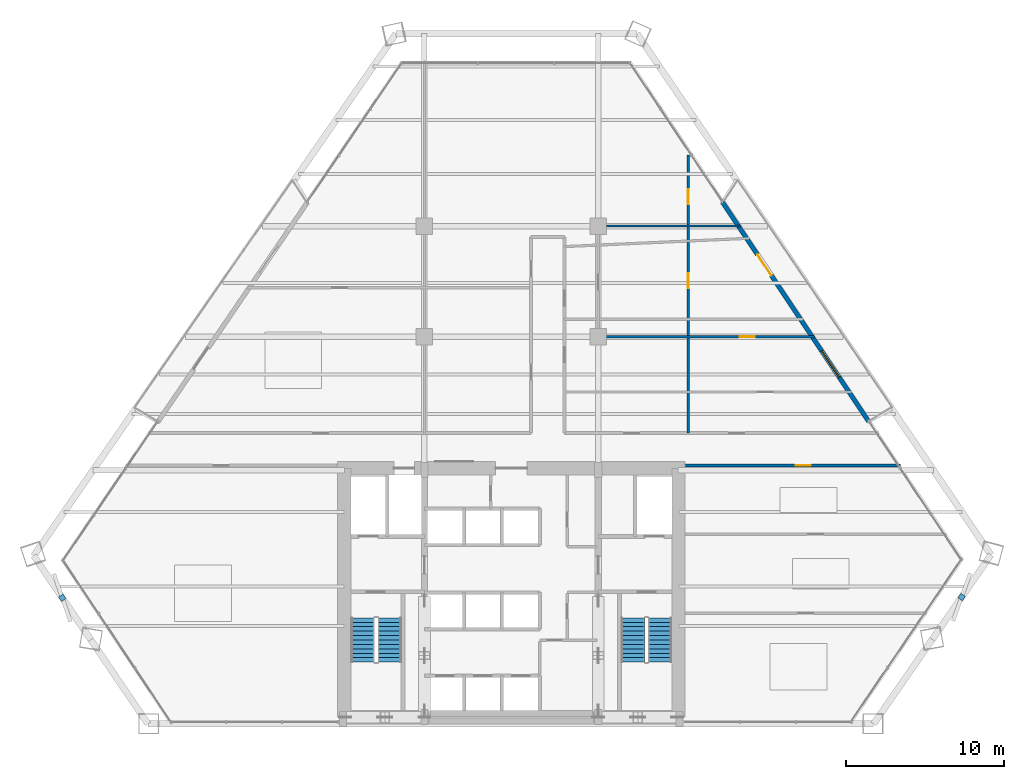
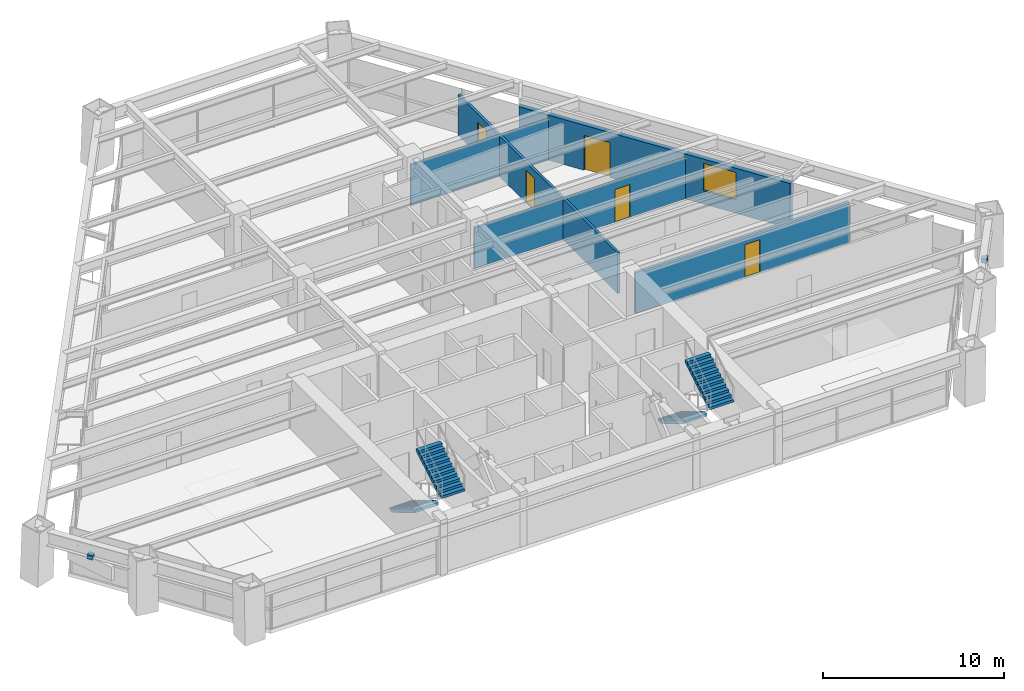
# One storey, part 12 of 14: 5 doors, 5 walls, 4 stair flights, 2 discrete accessories, 1 window, 6 openings, 2 elements without a shape of their own.
"""IFC4 building model written with IfcOpenShell, lengths in metres."""

from ifc_helpers import new_model, si_unit, direction, frame, frame_2d, origin, origin_2d, place, context, subcontext, project, spatial, polyline, rectangle, outline, extrude, source, transform, mapped, material, layer, layer_set, type_object, type_shapes, element, fill, aggregate, save


model = new_model("IFC4")

# Units and contexts
model_context = context("Model", 3, precision=1e-05, world=origin(), true_north=direction((0.0, 1.0)))
body_context = subcontext(model_context, "Body", "Model", "MODEL_VIEW")
ifc_project = project(units=[si_unit("LENGTHUNIT", "METRE"), si_unit("AREAUNIT", "SQUARE_METRE"), si_unit("VOLUMEUNIT", "CUBIC_METRE"), si_unit("PLANEANGLEUNIT", "RADIAN"), si_unit("MASSUNIT", "GRAM", prefix="KILO")], contexts=[model_context])

# Site, building, storey
site_placement = place(None, origin())
site = spatial("IfcSite", under=ifc_project, at=site_placement, CompositionType="ELEMENT")
building_placement = place(site_placement, origin())
building = spatial("IfcBuilding", under=site, at=building_placement, Name="Varnakhor Terracotta Tower", CompositionType="ELEMENT")
storey_placement = place(building_placement, frame((0.0, 0.0, 53.39990234375)))
storey = spatial("IfcBuildingStorey", under=building, at=storey_placement, Name="L12", CompositionType="ELEMENT", Elevation=53.39990234375)

# Wall, opening, door
ifc_material_1 = material(Name="Fire-Rated Gypsum Stud Partition", Category="gypsum")
ifc_layer_1 = layer(ifc_material_1, 0.18505859375, Name="Fire-Rated Gypsum Stud Partition")
ifc_layer_set_1 = layer_set([ifc_layer_1], Name="Fire-Rated Gypsum Stud Partition")
wall_type_1 = type_object("IfcWallType", Name="WAL-CORR-185", PredefinedType="PARTITIONING", material=ifc_layer_set_1)
wall_1_placement = place(storey_placement, frame((11.02001953125, 16.35009765625, 0.0), z_axis=(0.0, 0.0, 1.0), x_axis=(1.0, 0.0, 0.0)))
wall_1 = element("IfcWall", 1, at=wall_1_placement, inside=storey, type_object=wall_type_1, Name="L12 South East Corridor Wall", PredefinedType="PARTITIONING", context=body_context, shape_type="SweptSolid", body=[
    extrude(rectangle(XDim=13.60546875, YDim=0.18505859375, at=frame_2d((6.802734375, 0.0))), origin(), (0.0, 0.0, 1.0), 2.7470703125),
])
opening_1_placement = place(wall_1_placement, frame((6.97412109375, 0.0, 0.0)))
opening_1 = element("IfcOpeningElement", 2, at=opening_1_placement, cuts=wall_1, Name="Opening DR-94", PredefinedType="OPENING", context=body_context, shape_type="SweptSolid", body=[
    extrude(rectangle(XDim=0.949951171875, YDim=2.199951171875, at=frame_2d((0.47509765625, 1.10009765625))), frame((0.0, 0.1025390625, 0.0), z_axis=(0.0, -1.0, 0.0), x_axis=(1.0, 0.0, 0.0)), (0.0, 0.0, 1.0), 0.205078125),
])
ifc_material_2 = material(Name="Acoustic Glazed-Vision Timber Office Door", Category="wood")
door_type_1 = type_object("IfcDoorType", Name="DR-OFF-950X2200", OperationType="NOTDEFINED", PredefinedType="DOOR", material=ifc_material_2)
shared_shape_1 = source(origin(), body_context, "Body", "SweptSolid", [
    extrude(rectangle(XDim=0.949951171875, YDim=2.199951171875, at=frame_2d((0.47509765625, 1.10009765625))), frame((0.0, 0.02490234375, 0.0), z_axis=(0.0, -1.0, 0.0), x_axis=(1.0, 0.0, 0.0)), (0.0, 0.0, 1.0), 0.050048828125),
])
type_shapes(door_type_1, [shared_shape_1])
door_1_placement = place(opening_1_placement, origin())
door_1 = element("IfcDoor", 3, at=door_1_placement, inside=storey, type_object=door_type_1, Name="L12 SE Suite Door", OperationType="SINGLE_SWING_RIGHT", OverallHeight=2.199951171875, OverallWidth=0.949951171875, PredefinedType="DOOR", context=body_context, shape_type="MappedRepresentation", body=[
    mapped(shared_shape_1, transform((0.0, 0.0, 0.0), scale=1.0)),
])
fill(opening_1, door_1)

# Wall, openings, door, window
ifc_material_3 = material(Name="Extruded Architectural Terracotta Assembly", Category="masonry")
ifc_layer_2 = layer(ifc_material_3, 0.280029296875, Name="Extruded Architectural Terracotta Assembly")
ifc_layer_set_2 = layer_set([ifc_layer_2], Name="Extruded Architectural Terracotta Assembly")
wall_type_2 = type_object("IfcWallType", Name="WAL-EXT-TERRACOTTA-280", PredefinedType="SOLIDWALL", material=ifc_layer_set_2)
wall_2_placement = place(storey_placement, frame((13.345458984375, 33.0283203125, 0.0), z_axis=(0.0, 0.0, 1.0), x_axis=(0.554869040565, -0.831937706696, 0.0)))
wall_2 = element("IfcWall", 4, at=wall_2_placement, inside=storey, type_object=wall_type_2, Name="L12 E Loggia Insulated Terracotta Wall", PredefinedType="SOLIDWALL", context=body_context, shape_type="SweptSolid", body=[
    extrude(rectangle(XDim=16.682861328125, YDim=0.280029296875, at=frame_2d((8.34130859375, 0.0))), origin(), (0.0, 0.0, 1.0), 3.030029296875),
])
opening_2_placement = place(wall_2_placement, frame((4.00390625, 0.0, 0.0)))
opening_2 = element("IfcOpeningElement", 5, at=opening_2_placement, cuts=wall_2, Name="Opening DR-62", PredefinedType="OPENING", context=body_context, shape_type="SweptSolid", body=[
    extrude(rectangle(XDim=1.60009765625, YDim=2.35009765625, at=frame_2d((0.800048828125, 1.175048828125))), frame((0.0, 0.14990234375, 0.0), z_axis=(0.0, -1.0, 0.0), x_axis=(1.0, 0.0, 0.0)), (0.0, 0.0, 1.0), 0.300048828125),
])
opening_3_placement = place(wall_2_placement, frame((11.34423828125, 0.0, 0.89990234375)))
opening_3 = element("IfcOpeningElement", 6, at=opening_3_placement, cuts=wall_2, Name="Opening WN-26", PredefinedType="OPENING", context=body_context, shape_type="SweptSolid", body=[
    extrude(rectangle(XDim=2.0, YDim=1.85009765625, at=frame_2d((1.0, 0.925048828125))), frame((0.0, 0.14990234375, 0.0), z_axis=(0.0, -1.0, 0.0), x_axis=(1.0, 0.0, 0.0)), (0.0, 0.0, 1.0), 0.300048828125),
])
ifc_material_4 = material(Name="Thermally Broken Sliding Glass Loggia Door", Category="glass")
door_type_2 = type_object("IfcDoorType", Name="DR-EXT-LOGGIA-1600X2350", OperationType="NOTDEFINED", PredefinedType="DOOR", material=ifc_material_4)
shared_shape_2 = source(origin(), body_context, "Body", "SweptSolid", [
    extrude(rectangle(XDim=1.60009765625, YDim=2.35009765625, at=frame_2d((0.800048828125, 1.175048828125))), frame((0.0, 0.02490234375, 0.0), z_axis=(0.0, -1.0, 0.0), x_axis=(1.0, 0.0, 0.0)), (0.0, 0.0, 1.0), 0.050048828125),
])
type_shapes(door_type_2, [shared_shape_2])
door_2_placement = place(opening_2_placement, origin())
door_2 = element("IfcDoor", 7, at=door_2_placement, inside=storey, type_object=door_type_2, Name="L12 E Recessed Loggia Sliding Door", OperationType="SLIDING_TO_RIGHT", OverallHeight=2.35009765625, OverallWidth=1.60009765625, PredefinedType="DOOR", context=body_context, shape_type="MappedRepresentation", body=[
    mapped(shared_shape_2, transform((0.0, 0.0, 0.0), scale=1.0)),
])
fill(opening_2, door_2)
ifc_material_5 = material(Name="Solar-Control Low-E Insulated Glass Unit", Category="glass")
window_type = type_object("IfcWindowType", Name="WIN-OFF-2200X2100", PartitioningType="SINGLE_PANEL", PredefinedType="WINDOW", material=ifc_material_5)
shared_shape_3 = source(origin(), body_context, "Body", "SweptSolid", [
    extrude(rectangle(XDim=2.0, YDim=1.85009765625, at=frame_2d((1.0, 0.925048828125))), frame((0.0, 0.030029296875, 0.0), z_axis=(0.0, -1.0, 0.0), x_axis=(1.0, 0.0, 0.0)), (0.0, 0.0, 1.0), 0.06005859375),
])
type_shapes(window_type, [shared_shape_3])
window_placement = place(opening_3_placement, origin())
window = element("IfcWindow", 8, at=window_placement, inside=storey, type_object=window_type, Name="L12 E Facet Punched Window", OverallHeight=1.85009765625, OverallWidth=2.0, PartitioningType="SINGLE_PANEL", PredefinedType="WINDOW", context=body_context, shape_type="MappedRepresentation", body=[
    mapped(shared_shape_3, transform((0.0, 0.0, 0.0), scale=1.0)),
])
fill(opening_3, window)

# Wall, opening, door
ifc_material_6 = material(Name="Acoustic Metal-Stud Partition", Category="gypsum")
ifc_layer_3 = layer(ifc_material_6, 0.139892578125, Name="Acoustic Metal-Stud Partition")
ifc_layer_set_3 = layer_set([ifc_layer_3], Name="Acoustic Metal-Stud Partition")
wall_type_3 = type_object("IfcWallType", Name="WAL-PART-140", PredefinedType="PARTITIONING", material=ifc_layer_set_3)
wall_3_placement = place(storey_placement, frame((5.5, 24.5, 0.0), z_axis=(0.0, 0.0, 1.0), x_axis=(1.0, 0.0, 0.0)))
wall_3 = element("IfcWall", 9, at=wall_3_placement, inside=storey, type_object=wall_type_3, Name="L12 East Y24.5 Column Wall", PredefinedType="PARTITIONING", context=body_context, shape_type="SweptSolid", body=[
    extrude(rectangle(XDim=13.689697265625, YDim=0.139892578125, at=frame_2d((6.8447265625, 0.0))), origin(), (0.0, 0.0, 1.0), 2.7470703125),
])
opening_4_placement = place(wall_3_placement, frame((8.94189453125, 0.0, 0.0)))
opening_4 = element("IfcOpeningElement", 10, at=opening_4_placement, cuts=wall_3, Name="Opening DR-94", PredefinedType="OPENING", context=body_context, shape_type="SweptSolid", body=[
    extrude(rectangle(XDim=0.949951171875, YDim=2.199951171875, at=frame_2d((0.47509765625, 1.10009765625))), frame((0.0, 0.080078125, 0.0), z_axis=(0.0, -1.0, 0.0), x_axis=(1.0, 0.0, 0.0)), (0.0, 0.0, 1.0), 0.159912109375),
])
door_3_placement = place(opening_4_placement, origin())
door_3 = element("IfcDoor", 11, at=door_3_placement, inside=storey, type_object=door_type_1, Name="L12 BIM Lab Suite Door", OperationType="SINGLE_SWING_LEFT", OverallHeight=2.199951171875, OverallWidth=0.949951171875, PredefinedType="DOOR", context=body_context, shape_type="MappedRepresentation", body=[
    mapped(shared_shape_1, transform((0.0, 0.0, 0.0), scale=1.0)),
])
fill(opening_4, door_3)

# Wall
wall_4_placement = place(storey_placement, frame((5.5, 31.5, 0.0), z_axis=(0.0, 0.0, 1.0), x_axis=(1.0, 0.0, 0.0)))
element("IfcWall", 12, at=wall_4_placement, inside=storey, type_object=wall_type_3, Name="L12 East Y31.5 Column Wall", PredefinedType="PARTITIONING", context=body_context, shape_type="SweptSolid", body=[
    extrude(rectangle(XDim=9.02099609375, YDim=0.139892578125, at=frame_2d((4.510498046875, 0.0))), origin(), (0.0, 0.0, 1.0), 2.7470703125),
])

# Wall, openings, doors
ifc_material_7 = material(Name="Acoustic Fire-Rated Partition", Category="gypsum")
ifc_layer_4 = layer(ifc_material_7, 0.1650390625, Name="Acoustic Fire-Rated Partition")
ifc_layer_set_4 = layer_set([ifc_layer_4], Name="Acoustic Fire-Rated Partition")
wall_type_4 = type_object("IfcWallType", Name="WAL-TENANCY-165", PredefinedType="PARTITIONING", material=ifc_layer_set_4)
wall_5_placement = place(storey_placement, frame((11.199951171875, 18.39990234375, 0.0), z_axis=(0.0, 0.0, 1.0), x_axis=(0.0, 1.0, 0.0)))
wall_5 = element("IfcWall", 13, at=wall_5_placement, inside=storey, type_object=wall_type_4, Name="L12 East Cellular Line", PredefinedType="PARTITIONING", context=body_context, shape_type="SweptSolid", body=[
    extrude(rectangle(XDim=17.60009765625, YDim=0.1650390625, at=frame_2d((8.800048828125, 0.0))), origin(), (0.0, 0.0, 1.0), 2.7470703125),
])
opening_5_placement = place(wall_5_placement, frame((9.166015625, 0.0, 0.0)))
opening_5 = element("IfcOpeningElement", 14, at=opening_5_placement, cuts=wall_5, Name="Opening DR-94", PredefinedType="OPENING", context=body_context, shape_type="SweptSolid", body=[
    extrude(rectangle(XDim=0.949951171875, YDim=2.199951171875, at=frame_2d((0.47509765625, 1.10009765625))), frame((0.0, 0.092529296875, 0.0), z_axis=(0.0, -1.0, 0.0), x_axis=(1.0, 0.0, 0.0)), (0.0, 0.0, 1.0), 0.18505859375),
])
opening_6_placement = place(wall_5_placement, frame((14.478515625, 0.0, 0.0)))
opening_6 = element("IfcOpeningElement", 15, at=opening_6_placement, cuts=wall_5, Name="Opening DR-94", PredefinedType="OPENING", context=body_context, shape_type="SweptSolid", body=[
    extrude(rectangle(XDim=0.949951171875, YDim=2.199951171875, at=frame_2d((0.47509765625, 1.10009765625))), frame((0.0, 0.092529296875, 0.0), z_axis=(0.0, -1.0, 0.0), x_axis=(1.0, 0.0, 0.0)), (0.0, 0.0, 1.0), 0.18505859375),
])
door_4_placement = place(opening_5_placement, origin())
door_4 = element("IfcDoor", 16, at=door_4_placement, inside=storey, type_object=door_type_1, Name="L12 Espresso Pantry B13 Door", OperationType="SINGLE_SWING_RIGHT", OverallHeight=2.199951171875, OverallWidth=0.949951171875, PredefinedType="DOOR", context=body_context, shape_type="MappedRepresentation", body=[
    mapped(shared_shape_1, transform((0.0, 0.0, 0.0), scale=1.0)),
])
fill(opening_5, door_4)
door_5_placement = place(opening_6_placement, origin())
door_5 = element("IfcDoor", 17, at=door_5_placement, inside=storey, type_object=door_type_1, Name="L12 Wellness Quiet Room Door", OperationType="SINGLE_SWING_LEFT", OverallHeight=2.199951171875, OverallWidth=0.949951171875, PredefinedType="DOOR", context=body_context, shape_type="MappedRepresentation", body=[
    mapped(shared_shape_1, transform((0.0, 0.0, 0.0), scale=1.0)),
])
fill(opening_6, door_5)

# Stair, stair flights
ifc_material_8 = material(Name="Concrete C40/50", Category="concrete")
stair_type = type_object("IfcStairType", Name="STR-CORE-OFFICE-1500", PredefinedType="HALF_TURN_STAIR", material=ifc_material_8)
stair_1_placement = place(storey_placement, origin())
stair_1 = element("IfcStair", 18, at=stair_1_placement, inside=storey, type_object=stair_type, Name="L12 Core Exit Stair ST-1", PredefinedType="HALF_TURN_STAIR")
stair_flight_type = type_object("IfcStairFlightType", Name="FLT-CORE-1500", PredefinedType="STRAIGHT", material=ifc_material_8)
stair_flight_1_placement = place(storey_placement, frame((-9.39990234375, 6.7099609375, 0.0), z_axis=(0.0, 0.0, 1.0), x_axis=(0.0, -1.0, 0.0)))
stair_flight_1 = element("IfcStairFlight", 19, at=stair_flight_1_placement, type_object=stair_flight_type, Name="ST-1 flight 1", NumberOfRisers=11, NumberOfTreads=10, PredefinedType="STRAIGHT", RiserHeight=0.168181818, TreadLength=0.28, context=body_context, shape_type="SweptSolid", body=[
    extrude(outline(polyline([(0.0, 0.0), (0.0, 0.168212890625), (0.280029296875, 0.168212890625), (0.280029296875, 0.33642578125), (0.56005859375, 0.33642578125), (0.56005859375, 0.504638671875), (0.840087890625, 0.504638671875), (0.840087890625, 0.672607421875), (1.1201171875, 0.672607421875), (1.1201171875, 0.8408203125), (1.39990234375, 0.8408203125), (1.39990234375, 1.009033203125), (1.679931640625, 1.009033203125), (1.679931640625, 1.17724609375), (1.9599609375, 1.17724609375), (1.9599609375, 1.345458984375), (2.239990234375, 1.345458984375), (2.239990234375, 1.513671875), (2.52001953125, 1.513671875), (2.52001953125, 1.681884765625), (2.800048828125, 1.681884765625), (2.800048828125, 1.85009765625), (2.800048828125, 1.495361328125), (0.310546875, 0.0), (0.0, 0.0)])), frame((0.0, 0.75, 0.0), z_axis=(0.0, -1.0, 0.0), x_axis=(1.0, 0.0, 0.0)), (0.0, 0.0, 1.0), 1.5),
])
stair_flight_2_placement = place(storey_placement, frame((-7.699951171875, 3.909912109375, 1.85009765625), z_axis=(0.0, 0.0, 1.0), x_axis=(0.0, 1.0, 0.0)))
stair_flight_2 = element("IfcStairFlight", 20, at=stair_flight_2_placement, type_object=stair_flight_type, Name="ST-1 flight 2", NumberOfRisers=11, NumberOfTreads=10, PredefinedType="STRAIGHT", RiserHeight=0.168181818, TreadLength=0.28, context=body_context, shape_type="SweptSolid", body=[
    extrude(outline(polyline([(0.0, 0.0), (0.0, 0.168212890625), (0.280029296875, 0.168212890625), (0.280029296875, 0.33642578125), (0.56005859375, 0.33642578125), (0.56005859375, 0.504638671875), (0.840087890625, 0.504638671875), (0.840087890625, 0.672607421875), (1.1201171875, 0.672607421875), (1.1201171875, 0.8408203125), (1.39990234375, 0.8408203125), (1.39990234375, 1.009033203125), (1.679931640625, 1.009033203125), (1.679931640625, 1.17724609375), (1.9599609375, 1.17724609375), (1.9599609375, 1.345458984375), (2.239990234375, 1.345458984375), (2.239990234375, 1.513671875), (2.52001953125, 1.513671875), (2.52001953125, 1.681884765625), (2.800048828125, 1.681884765625), (2.800048828125, 1.85009765625), (2.800048828125, 1.495361328125), (0.310546875, 0.0), (0.0, 0.0)])), frame((0.0, 0.75, 0.0), z_axis=(0.0, -1.0, 0.0), x_axis=(1.0, 0.0, 0.0)), (0.0, 0.0, 1.0), 1.5),
])
aggregate(stair_1, [stair_flight_1, stair_flight_2])

stair_2_placement = place(storey_placement, origin())
stair_2 = element("IfcStair", 21, at=stair_2_placement, inside=storey, type_object=stair_type, Name="L12 Core Exit Stair ST-2", PredefinedType="HALF_TURN_STAIR")
stair_flight_3_placement = place(storey_placement, frame((7.699951171875, 6.7099609375, 0.0), z_axis=(0.0, 0.0, 1.0), x_axis=(0.0, -1.0, 0.0)))
stair_flight_3 = element("IfcStairFlight", 22, at=stair_flight_3_placement, type_object=stair_flight_type, Name="ST-2 flight 1", NumberOfRisers=11, NumberOfTreads=10, PredefinedType="STRAIGHT", RiserHeight=0.168181818, TreadLength=0.28, context=body_context, shape_type="SweptSolid", body=[
    extrude(outline(polyline([(0.0, 0.0), (0.0, 0.168212890625), (0.280029296875, 0.168212890625), (0.280029296875, 0.33642578125), (0.56005859375, 0.33642578125), (0.56005859375, 0.504638671875), (0.840087890625, 0.504638671875), (0.840087890625, 0.672607421875), (1.1201171875, 0.672607421875), (1.1201171875, 0.8408203125), (1.39990234375, 0.8408203125), (1.39990234375, 1.009033203125), (1.679931640625, 1.009033203125), (1.679931640625, 1.17724609375), (1.9599609375, 1.17724609375), (1.9599609375, 1.345458984375), (2.239990234375, 1.345458984375), (2.239990234375, 1.513671875), (2.52001953125, 1.513671875), (2.52001953125, 1.681884765625), (2.800048828125, 1.681884765625), (2.800048828125, 1.85009765625), (2.800048828125, 1.495361328125), (0.310546875, 0.0), (0.0, 0.0)])), frame((0.0, 0.75, 0.0), z_axis=(0.0, -1.0, 0.0), x_axis=(1.0, 0.0, 0.0)), (0.0, 0.0, 1.0), 1.5),
])
stair_flight_4_placement = place(storey_placement, frame((9.39990234375, 3.909912109375, 1.85009765625), z_axis=(0.0, 0.0, 1.0), x_axis=(0.0, 1.0, 0.0)))
stair_flight_4 = element("IfcStairFlight", 23, at=stair_flight_4_placement, type_object=stair_flight_type, Name="ST-2 flight 2", NumberOfRisers=11, NumberOfTreads=10, PredefinedType="STRAIGHT", RiserHeight=0.168181818, TreadLength=0.28, context=body_context, shape_type="SweptSolid", body=[
    extrude(outline(polyline([(0.0, 0.0), (0.0, 0.168212890625), (0.280029296875, 0.168212890625), (0.280029296875, 0.33642578125), (0.56005859375, 0.33642578125), (0.56005859375, 0.504638671875), (0.840087890625, 0.504638671875), (0.840087890625, 0.672607421875), (1.1201171875, 0.672607421875), (1.1201171875, 0.8408203125), (1.39990234375, 0.8408203125), (1.39990234375, 1.009033203125), (1.679931640625, 1.009033203125), (1.679931640625, 1.17724609375), (1.9599609375, 1.17724609375), (1.9599609375, 1.345458984375), (2.239990234375, 1.345458984375), (2.239990234375, 1.513671875), (2.52001953125, 1.513671875), (2.52001953125, 1.681884765625), (2.800048828125, 1.681884765625), (2.800048828125, 1.85009765625), (2.800048828125, 1.495361328125), (0.310546875, 0.0), (0.0, 0.0)])), frame((0.0, 0.75, 0.0), z_axis=(0.0, -1.0, 0.0), x_axis=(1.0, 0.0, 0.0)), (0.0, 0.0, 1.0), 1.5),
])
aggregate(stair_2, [stair_flight_3, stair_flight_4])

# Discrete accessories
ifc_material_9 = material(Name="Stainless Steel Fixing Bracket", Category="steel")
discrete_accessory_type = type_object("IfcDiscreteAccessoryType", Name="BRACKET-TERRACOTTA-SCREEN", PredefinedType="BRACKET", material=ifc_material_9)
shared_shape_4 = source(origin(), body_context, "Body", "SweptSolid", [
    extrude(rectangle(XDim=0.35009765625, YDim=0.35009765625, at=origin_2d()), origin(), (0.0, 0.0, 1.0), 0.280029296875),
])
type_shapes(discrete_accessory_type, [shared_shape_4])
for number, where, z_axis, x_axis, name in (
    (24, (28.48779296875, 8.02197265625, 2.39306640625), (0.0, 0.0, 1.0), (0.570097141453, 0.821577293569, 0.0), "L12 E Screen Fixing Bracket"),
    (25, (-28.416259765625, 7.980224609375, 2.39306640625), (0.0, 0.0, 1.0), (0.561722442377, -0.827325750675, 0.0), "L12 W Screen Fixing Bracket"),
):
    element("IfcDiscreteAccessory", number, at=place(storey_placement, frame(where, z_axis=z_axis, x_axis=x_axis)), inside=storey, type_object=discrete_accessory_type, Name=name, PredefinedType="BRACKET", context=body_context, shape_type="MappedRepresentation", body=[
        mapped(shared_shape_4, transform((0.0, 0.0, 0.0), scale=1.0)),
    ])

save(model, "model.ifc")
